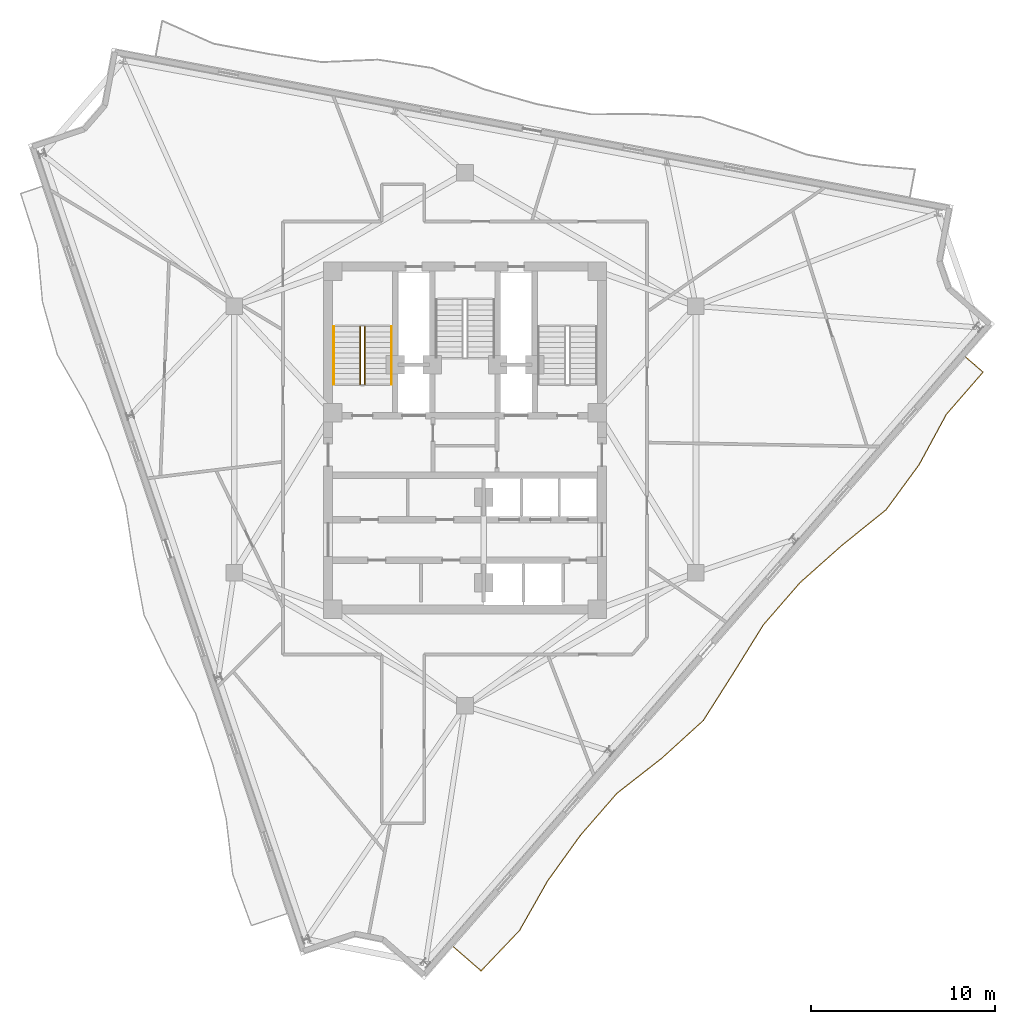
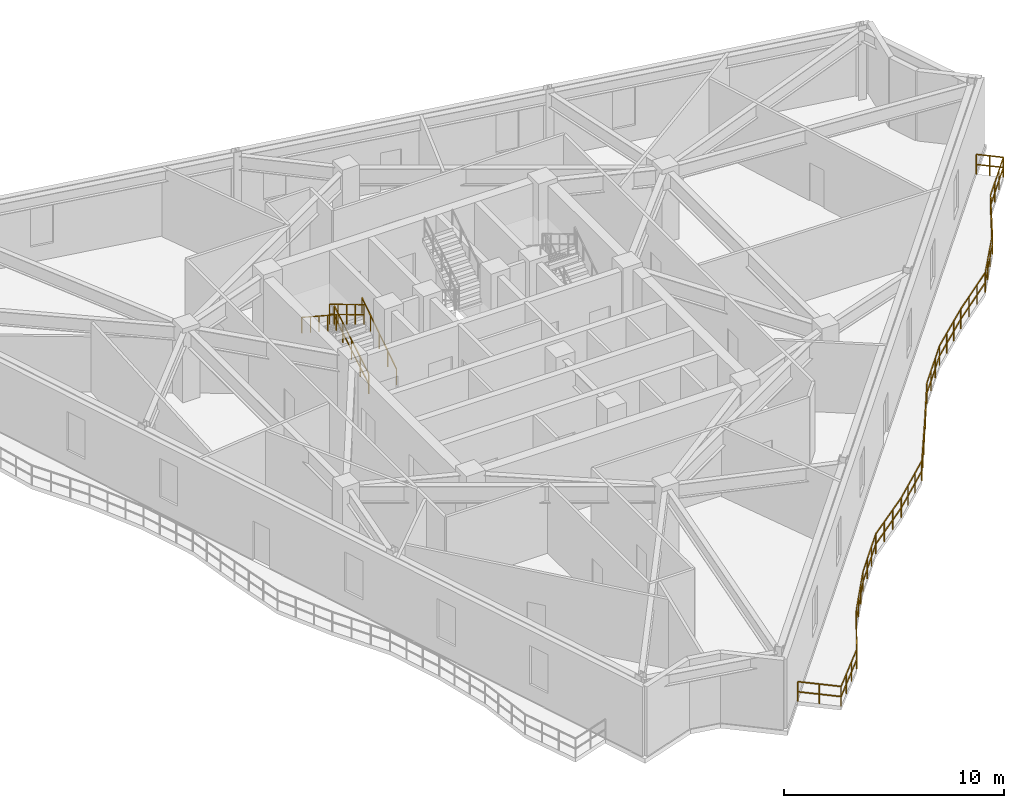
# One storey, part 9 of 10: 5 railings.
"""IFC4 building model written with IfcOpenShell, lengths in metres."""

from ifc_helpers import new_model, si_unit, direction, frame, origin, origin_2d, place, context, subcontext, project, spatial, rectangle, extrude, material, type_object, element, save


model = new_model("IFC4")

# Units and contexts
model_context = context("Model", 3, precision=1e-05, world=origin(), true_north=direction((0.0, 1.0)))
body_context = subcontext(model_context, "Body", "Model", "MODEL_VIEW")
ifc_project = project(units=[si_unit("LENGTHUNIT", "METRE"), si_unit("AREAUNIT", "SQUARE_METRE"), si_unit("VOLUMEUNIT", "CUBIC_METRE"), si_unit("PLANEANGLEUNIT", "RADIAN"), si_unit("MASSUNIT", "GRAM", prefix="KILO")], contexts=[model_context])

# Site, building, storey
site_placement = place(None, origin())
site = spatial("IfcSite", under=ifc_project, at=site_placement, CompositionType="ELEMENT")
building_placement = place(site_placement, origin())
building = spatial("IfcBuilding", under=site, at=building_placement, Name="Apsidion Concourse Tower", CompositionType="ELEMENT")
storey_placement = place(building_placement, frame((0.0, 0.0, 265.5)))
storey = spatial("IfcBuildingStorey", under=building, at=storey_placement, Name="L62", CompositionType="ELEMENT", Elevation=265.5)

# Railings
ifc_material = material(Name="Brushed stainless steel 316", Category="steel")
railing_type_1 = type_object("IfcRailingType", Name="RL-BAL-1120", PredefinedType="BALUSTRADE", material=ifc_material)
railing_1_placement = place(storey_placement, frame((27.2392578125, 4.47607421875, 0.0)))
element("IfcRailing", 1, at=railing_1_placement, inside=storey, type_object=railing_type_1, Name="L62 Face 2 Rippling Balcony Balustrade", PredefinedType="BALUSTRADE", context=body_context, shape_type="SweptSolid", body=[
    extrude(rectangle(XDim=0.048095703125, YDim=0.048095703125, at=origin_2d()), frame((0.0, 0.0, 1.09619140625), z_axis=(0.754702226027, -0.65606748893, 0.0), x_axis=(0.65606748893, 0.754702226027, 0.0)), (0.0, 0.0, 1.0), 1.25),
    extrude(rectangle(XDim=0.048095703125, YDim=0.048095703125, at=origin_2d()), frame((0.0, 0.0, 0.5361328125), z_axis=(0.754702226027, -0.65606748893, 0.0), x_axis=(0.65606748893, 0.754702226027, 0.0)), (0.0, 0.0, 1.0), 1.25),
    extrude(rectangle(XDim=0.048095703125, YDim=0.048095703125, at=origin_2d()), frame((0.943359375, -0.820068359375, 1.09619140625), z_axis=(-0.656041311893, -0.754724981096, 0.0), x_axis=(0.754724981096, -0.656041311893, 0.0)), (0.0, 0.0, 1.0), 3.03564453125),
    extrude(rectangle(XDim=0.048095703125, YDim=0.048095703125, at=origin_2d()), frame((0.943359375, -0.820068359375, 0.5361328125), z_axis=(-0.656041311893, -0.754724981096, 0.0), x_axis=(0.754724981096, -0.656041311893, 0.0)), (0.0, 0.0, 1.0), 3.03564453125),
    extrude(rectangle(XDim=0.048095703125, YDim=0.048095703125, at=origin_2d()), frame((-1.048095703125, -3.111083984375, 1.09619140625), z_axis=(-0.476176933893, -0.879349491174, 0.0), x_axis=(0.879349491174, -0.476176933893, 0.0)), (0.0, 0.0, 1.0), 3.110107421875),
    extrude(rectangle(XDim=0.048095703125, YDim=0.048095703125, at=origin_2d()), frame((-1.048095703125, -3.111083984375, 0.5361328125), z_axis=(-0.476176933893, -0.879349491174, 0.0), x_axis=(0.879349491174, -0.476176933893, 0.0)), (0.0, 0.0, 1.0), 3.110107421875),
    extrude(rectangle(XDim=0.048095703125, YDim=0.048095703125, at=origin_2d()), frame((-2.529052734375, -5.845947265625, 1.09619140625), z_axis=(-0.590623303688, -0.806947404197, 0.0), x_axis=(0.806947404197, -0.590623303688, 0.0)), (0.0, 0.0, 1.0), 3.046142578125),
    extrude(rectangle(XDim=0.048095703125, YDim=0.048095703125, at=origin_2d()), frame((-2.529052734375, -5.845947265625, 0.5361328125), z_axis=(-0.590623303688, -0.806947404197, 0.0), x_axis=(0.806947404197, -0.590623303688, 0.0)), (0.0, 0.0, 1.0), 3.046142578125),
    extrude(rectangle(XDim=0.048095703125, YDim=0.048095703125, at=origin_2d()), frame((-4.328125, -8.303955078125, 1.09619140625), z_axis=(-0.778313184317, -0.627876251437, 0.0), x_axis=(0.627876251437, -0.778313184317, 0.0)), (0.0, 0.0, 1.0), 3.08349609375),
    extrude(rectangle(XDim=0.048095703125, YDim=0.048095703125, at=origin_2d()), frame((-4.328125, -8.303955078125, 0.5361328125), z_axis=(-0.778313184317, -0.627876251437, 0.0), x_axis=(0.627876251437, -0.778313184317, 0.0)), (0.0, 0.0, 1.0), 3.08349609375),
    extrude(rectangle(XDim=0.048095703125, YDim=0.048095703125, at=origin_2d()), frame((-6.72802734375, -10.239990234375, 1.09619140625), z_axis=(-0.746955837385, -0.664873654913, 0.0), x_axis=(0.664873654913, -0.746955837385, 0.0)), (0.0, 0.0, 1.0), 3.060546875),
    extrude(rectangle(XDim=0.048095703125, YDim=0.048095703125, at=origin_2d()), frame((-6.72802734375, -10.239990234375, 0.5361328125), z_axis=(-0.746955837385, -0.664873654913, 0.0), x_axis=(0.664873654913, -0.746955837385, 0.0)), (0.0, 0.0, 1.0), 3.060546875),
    extrude(rectangle(XDim=0.048095703125, YDim=0.048095703125, at=origin_2d()), frame((-9.01416015625, -12.27490234375, 1.09619140625), z_axis=(-0.656035321083, -0.754730188539, 0.0), x_axis=(0.754730188539, -0.656035321083, 0.0)), (0.0, 0.0, 1.0), 3.03515625),
    extrude(rectangle(XDim=0.048095703125, YDim=0.048095703125, at=origin_2d()), frame((-9.01416015625, -12.27490234375, 0.5361328125), z_axis=(-0.656035321083, -0.754730188539, 0.0), x_axis=(0.754730188539, -0.656035321083, 0.0)), (0.0, 0.0, 1.0), 3.03515625),
    extrude(rectangle(XDim=0.048095703125, YDim=0.048095703125, at=origin_2d()), frame((-11.00537109375, -14.565673828125, 1.09619140625), z_axis=(-0.527698826348, -0.849431544429, 0.0), x_axis=(0.849431544429, -0.527698826348, 0.0)), (0.0, 0.0, 1.0), 3.07470703125),
    extrude(rectangle(XDim=0.048095703125, YDim=0.048095703125, at=origin_2d()), frame((-11.00537109375, -14.565673828125, 0.5361328125), z_axis=(-0.527698826348, -0.849431544429, 0.0), x_axis=(0.849431544429, -0.527698826348, 0.0)), (0.0, 0.0, 1.0), 3.07470703125),
    extrude(rectangle(XDim=0.048095703125, YDim=0.048095703125, at=origin_2d()), frame((-12.6279296875, -17.177490234375, 1.09619140625), z_axis=(-0.53593346273, -0.844260222636, 0.0), x_axis=(0.844260222636, -0.53593346273, 0.0)), (0.0, 0.0, 1.0), 3.06982421875),
    extrude(rectangle(XDim=0.048095703125, YDim=0.048095703125, at=origin_2d()), frame((-12.6279296875, -17.177490234375, 0.5361328125), z_axis=(-0.53593346273, -0.844260222636, 0.0), x_axis=(0.844260222636, -0.53593346273, 0.0)), (0.0, 0.0, 1.0), 3.06982421875),
    extrude(rectangle(XDim=0.048095703125, YDim=0.048095703125, at=origin_2d()), frame((-14.273193359375, -19.769287109375, 1.09619140625), z_axis=(-0.739856942748, -0.672764226359, 0.0), x_axis=(0.672764226359, -0.739856942748, 0.0)), (0.0, 0.0, 1.0), 3.056640625),
    extrude(rectangle(XDim=0.048095703125, YDim=0.048095703125, at=origin_2d()), frame((-14.273193359375, -19.769287109375, 0.5361328125), z_axis=(-0.739856942748, -0.672764226359, 0.0), x_axis=(0.672764226359, -0.739856942748, 0.0)), (0.0, 0.0, 1.0), 3.056640625),
    extrude(rectangle(XDim=0.048095703125, YDim=0.048095703125, at=origin_2d()), frame((-16.53466796875, -21.82568359375, 1.09619140625), z_axis=(-0.788011207043, -0.615660894953, 0.0), x_axis=(0.615660894953, -0.788011207043, 0.0)), (0.0, 0.0, 1.0), 3.09228515625),
    extrude(rectangle(XDim=0.048095703125, YDim=0.048095703125, at=origin_2d()), frame((-16.53466796875, -21.82568359375, 0.5361328125), z_axis=(-0.788011207043, -0.615660894953, 0.0), x_axis=(0.615660894953, -0.788011207043, 0.0)), (0.0, 0.0, 1.0), 3.09228515625),
    extrude(rectangle(XDim=0.048095703125, YDim=0.048095703125, at=origin_2d()), frame((-18.971435546875, -23.7294921875, 1.09619140625), z_axis=(-0.656041311893, -0.754724981096, 0.0), x_axis=(0.754724981096, -0.656041311893, 0.0)), (0.0, 0.0, 1.0), 3.03564453125),
    extrude(rectangle(XDim=0.048095703125, YDim=0.048095703125, at=origin_2d()), frame((-18.971435546875, -23.7294921875, 0.5361328125), z_axis=(-0.656041311893, -0.754724981096, 0.0), x_axis=(0.754724981096, -0.656041311893, 0.0)), (0.0, 0.0, 1.0), 3.03564453125),
    extrude(rectangle(XDim=0.048095703125, YDim=0.048095703125, at=origin_2d()), frame((-20.962890625, -26.0205078125, 1.09619140625), z_axis=(-0.583485875809, -0.812123286657, 0.0), x_axis=(0.812123286657, -0.583485875809, 0.0)), (0.0, 0.0, 1.0), 3.048583984375),
    extrude(rectangle(XDim=0.048095703125, YDim=0.048095703125, at=origin_2d()), frame((-20.962890625, -26.0205078125, 0.5361328125), z_axis=(-0.583485875809, -0.812123286657, 0.0), x_axis=(0.812123286657, -0.583485875809, 0.0)), (0.0, 0.0, 1.0), 3.048583984375),
    extrude(rectangle(XDim=0.048095703125, YDim=0.048095703125, at=origin_2d()), frame((-22.74169921875, -28.496337890625, 1.09619140625), z_axis=(-0.493088152446, -0.869979352581, 0.0), x_axis=(0.869979352581, -0.493088152446, 0.0)), (0.0, 0.0, 1.0), 3.096923828125),
    extrude(rectangle(XDim=0.048095703125, YDim=0.048095703125, at=origin_2d()), frame((-22.74169921875, -28.496337890625, 0.5361328125), z_axis=(-0.493088152446, -0.869979352581, 0.0), x_axis=(0.869979352581, -0.493088152446, 0.0)), (0.0, 0.0, 1.0), 3.096923828125),
    extrude(rectangle(XDim=0.048095703125, YDim=0.048095703125, at=origin_2d()), frame((-24.268798828125, -31.190673828125, 1.09619140625), z_axis=(-0.689498674874, -0.724286944068, 0.0), x_axis=(0.724286944068, -0.689498674874, 0.0)), (0.0, 0.0, 1.0), 3.038818359375),
    extrude(rectangle(XDim=0.048095703125, YDim=0.048095703125, at=origin_2d()), frame((-24.268798828125, -31.190673828125, 0.5361328125), z_axis=(-0.689498674874, -0.724286944068, 0.0), x_axis=(0.724286944068, -0.689498674874, 0.0)), (0.0, 0.0, 1.0), 3.038818359375),
    extrude(rectangle(XDim=0.048095703125, YDim=0.048095703125, at=origin_2d()), frame((-26.364013671875, -33.3916015625, 1.09619140625), z_axis=(-0.754762419194, 0.655998239763, 0.0), x_axis=(-0.655998239763, -0.754762419194, 0.0)), (0.0, 0.0, 1.0), 2.009765625),
    extrude(rectangle(XDim=0.048095703125, YDim=0.048095703125, at=origin_2d()), frame((-26.364013671875, -33.3916015625, 0.5361328125), z_axis=(-0.754762419194, 0.655998239763, 0.0), x_axis=(-0.655998239763, -0.754762419194, 0.0)), (0.0, 0.0, 1.0), 2.009765625),
    extrude(rectangle(XDim=0.0419921875, YDim=0.0419921875, at=origin_2d()), origin(), (0.0, 0.0, 1.0), 1.072021484375),
    extrude(rectangle(XDim=0.0419921875, YDim=0.0419921875, at=origin_2d()), frame((0.4716796875, -0.41015625, 0.0)), (0.0, 0.0, 1.0), 1.072021484375),
    extrude(rectangle(XDim=0.0419921875, YDim=0.0419921875, at=origin_2d()), frame((0.943359375, -0.820068359375, 0.0)), (0.0, 0.0, 1.0), 1.072021484375),
    extrude(rectangle(XDim=0.0419921875, YDim=0.0419921875, at=origin_2d()), frame((0.279541015625, -1.583740234375, 0.0)), (0.0, 0.0, 1.0), 1.072021484375),
    extrude(rectangle(XDim=0.0419921875, YDim=0.0419921875, at=origin_2d()), frame((-0.38427734375, -2.347412109375, 0.0)), (0.0, 0.0, 1.0), 1.072021484375),
    extrude(rectangle(XDim=0.0419921875, YDim=0.0419921875, at=origin_2d()), frame((-1.048095703125, -3.111083984375, 0.0)), (0.0, 0.0, 1.0), 1.072021484375),
    extrude(rectangle(XDim=0.0419921875, YDim=0.0419921875, at=origin_2d()), frame((-1.541748046875, -4.022705078125, 0.0)), (0.0, 0.0, 1.0), 1.072021484375),
    extrude(rectangle(XDim=0.0419921875, YDim=0.0419921875, at=origin_2d()), frame((-2.035400390625, -4.934326171875, 0.0)), (0.0, 0.0, 1.0), 1.072021484375),
    extrude(rectangle(XDim=0.0419921875, YDim=0.0419921875, at=origin_2d()), frame((-2.529052734375, -5.845947265625, 0.0)), (0.0, 0.0, 1.0), 1.072021484375),
    extrude(rectangle(XDim=0.0419921875, YDim=0.0419921875, at=origin_2d()), frame((-3.128662109375, -6.665283203125, 0.0)), (0.0, 0.0, 1.0), 1.072021484375),
    extrude(rectangle(XDim=0.0419921875, YDim=0.0419921875, at=origin_2d()), frame((-3.728515625, -7.484619140625, 0.0)), (0.0, 0.0, 1.0), 1.072021484375),
    extrude(rectangle(XDim=0.0419921875, YDim=0.0419921875, at=origin_2d()), frame((-4.328125, -8.303955078125, 0.0)), (0.0, 0.0, 1.0), 1.072021484375),
    extrude(rectangle(XDim=0.0419921875, YDim=0.0419921875, at=origin_2d()), frame((-5.128173828125, -8.94921875, 0.0)), (0.0, 0.0, 1.0), 1.072021484375),
    extrude(rectangle(XDim=0.0419921875, YDim=0.0419921875, at=origin_2d()), frame((-5.927978515625, -9.5947265625, 0.0)), (0.0, 0.0, 1.0), 1.072021484375),
    extrude(rectangle(XDim=0.0419921875, YDim=0.0419921875, at=origin_2d()), frame((-6.72802734375, -10.239990234375, 0.0)), (0.0, 0.0, 1.0), 1.072021484375),
    extrude(rectangle(XDim=0.0419921875, YDim=0.0419921875, at=origin_2d()), frame((-7.489990234375, -10.918212890625, 0.0)), (0.0, 0.0, 1.0), 1.072021484375),
    extrude(rectangle(XDim=0.0419921875, YDim=0.0419921875, at=origin_2d()), frame((-8.252197265625, -11.5966796875, 0.0)), (0.0, 0.0, 1.0), 1.072021484375),
    extrude(rectangle(XDim=0.0419921875, YDim=0.0419921875, at=origin_2d()), frame((-9.01416015625, -12.27490234375, 0.0)), (0.0, 0.0, 1.0), 1.072021484375),
    extrude(rectangle(XDim=0.0419921875, YDim=0.0419921875, at=origin_2d()), frame((-9.677978515625, -13.03857421875, 0.0)), (0.0, 0.0, 1.0), 1.072021484375),
    extrude(rectangle(XDim=0.0419921875, YDim=0.0419921875, at=origin_2d()), frame((-10.341552734375, -13.802001953125, 0.0)), (0.0, 0.0, 1.0), 1.072021484375),
    extrude(rectangle(XDim=0.0419921875, YDim=0.0419921875, at=origin_2d()), frame((-11.00537109375, -14.565673828125, 0.0)), (0.0, 0.0, 1.0), 1.072021484375),
    extrude(rectangle(XDim=0.0419921875, YDim=0.0419921875, at=origin_2d()), frame((-11.546142578125, -15.436279296875, 0.0)), (0.0, 0.0, 1.0), 1.072021484375),
    extrude(rectangle(XDim=0.0419921875, YDim=0.0419921875, at=origin_2d()), frame((-12.087158203125, -16.306884765625, 0.0)), (0.0, 0.0, 1.0), 1.072021484375),
    extrude(rectangle(XDim=0.0419921875, YDim=0.0419921875, at=origin_2d()), frame((-12.6279296875, -17.177490234375, 0.0)), (0.0, 0.0, 1.0), 1.072021484375),
    extrude(rectangle(XDim=0.0419921875, YDim=0.0419921875, at=origin_2d()), frame((-13.17626953125, -18.04150390625, 0.0)), (0.0, 0.0, 1.0), 1.072021484375),
    extrude(rectangle(XDim=0.0419921875, YDim=0.0419921875, at=origin_2d()), frame((-13.724853515625, -18.9052734375, 0.0)), (0.0, 0.0, 1.0), 1.072021484375),
    extrude(rectangle(XDim=0.0419921875, YDim=0.0419921875, at=origin_2d()), frame((-14.273193359375, -19.769287109375, 0.0)), (0.0, 0.0, 1.0), 1.072021484375),
    extrude(rectangle(XDim=0.0419921875, YDim=0.0419921875, at=origin_2d()), frame((-15.027099609375, -20.454833984375, 0.0)), (0.0, 0.0, 1.0), 1.072021484375),
    extrude(rectangle(XDim=0.0419921875, YDim=0.0419921875, at=origin_2d()), frame((-15.78076171875, -21.14013671875, 0.0)), (0.0, 0.0, 1.0), 1.072021484375),
    extrude(rectangle(XDim=0.0419921875, YDim=0.0419921875, at=origin_2d()), frame((-16.53466796875, -21.82568359375, 0.0)), (0.0, 0.0, 1.0), 1.072021484375),
    extrude(rectangle(XDim=0.0419921875, YDim=0.0419921875, at=origin_2d()), frame((-17.346923828125, -22.460205078125, 0.0)), (0.0, 0.0, 1.0), 1.072021484375),
    extrude(rectangle(XDim=0.0419921875, YDim=0.0419921875, at=origin_2d()), frame((-18.1591796875, -23.094970703125, 0.0)), (0.0, 0.0, 1.0), 1.072021484375),
    extrude(rectangle(XDim=0.0419921875, YDim=0.0419921875, at=origin_2d()), frame((-18.971435546875, -23.7294921875, 0.0)), (0.0, 0.0, 1.0), 1.072021484375),
    extrude(rectangle(XDim=0.0419921875, YDim=0.0419921875, at=origin_2d()), frame((-19.63525390625, -24.4931640625, 0.0)), (0.0, 0.0, 1.0), 1.072021484375),
    extrude(rectangle(XDim=0.0419921875, YDim=0.0419921875, at=origin_2d()), frame((-20.299072265625, -25.2568359375, 0.0)), (0.0, 0.0, 1.0), 1.072021484375),
    extrude(rectangle(XDim=0.0419921875, YDim=0.0419921875, at=origin_2d()), frame((-20.962890625, -26.0205078125, 0.0)), (0.0, 0.0, 1.0), 1.072021484375),
    extrude(rectangle(XDim=0.0419921875, YDim=0.0419921875, at=origin_2d()), frame((-21.555908203125, -26.845703125, 0.0)), (0.0, 0.0, 1.0), 1.072021484375),
    extrude(rectangle(XDim=0.0419921875, YDim=0.0419921875, at=origin_2d()), frame((-22.148681640625, -27.671142578125, 0.0)), (0.0, 0.0, 1.0), 1.072021484375),
    extrude(rectangle(XDim=0.0419921875, YDim=0.0419921875, at=origin_2d()), frame((-22.74169921875, -28.496337890625, 0.0)), (0.0, 0.0, 1.0), 1.072021484375),
    extrude(rectangle(XDim=0.0419921875, YDim=0.0419921875, at=origin_2d()), frame((-23.250732421875, -29.39453125, 0.0)), (0.0, 0.0, 1.0), 1.072021484375),
    extrude(rectangle(XDim=0.0419921875, YDim=0.0419921875, at=origin_2d()), frame((-23.759765625, -30.29248046875, 0.0)), (0.0, 0.0, 1.0), 1.072021484375),
    extrude(rectangle(XDim=0.0419921875, YDim=0.0419921875, at=origin_2d()), frame((-24.268798828125, -31.190673828125, 0.0)), (0.0, 0.0, 1.0), 1.072021484375),
    extrude(rectangle(XDim=0.0419921875, YDim=0.0419921875, at=origin_2d()), frame((-24.96728515625, -31.92431640625, 0.0)), (0.0, 0.0, 1.0), 1.072021484375),
    extrude(rectangle(XDim=0.0419921875, YDim=0.0419921875, at=origin_2d()), frame((-25.66552734375, -32.657958984375, 0.0)), (0.0, 0.0, 1.0), 1.072021484375),
    extrude(rectangle(XDim=0.0419921875, YDim=0.0419921875, at=origin_2d()), frame((-26.364013671875, -33.3916015625, 0.0)), (0.0, 0.0, 1.0), 1.072021484375),
    extrude(rectangle(XDim=0.0419921875, YDim=0.0419921875, at=origin_2d()), frame((-27.12255859375, -32.732421875, 0.0)), (0.0, 0.0, 1.0), 1.072021484375),
    extrude(rectangle(XDim=0.0419921875, YDim=0.0419921875, at=origin_2d()), frame((-27.880859375, -32.0732421875, 0.0)), (0.0, 0.0, 1.0), 1.072021484375),
])
railing_type_2 = type_object("IfcRailingType", Name="RL-GUARD-1100", PredefinedType="GUARDRAIL", material=ifc_material)
railing_2_placement = place(storey_placement, frame((-5.449951171875, 3.0, 0.1708984375)))
element("IfcRailing", 2, at=railing_2_placement, inside=storey, type_object=railing_type_2, Name="L62 ST1 stair guard 1", PredefinedType="GUARDRAIL", context=body_context, shape_type="SweptSolid", body=[
    extrude(rectangle(XDim=0.048095703125, YDim=0.048095703125, at=origin_2d()), frame((0.0, 0.0, 1.09619140625), z_axis=(0.0, 0.857716804754, 0.514122439544), x_axis=(-1.0, 0.0, 0.0)), (0.0, 0.0, 1.0), 3.655029296875),
    extrude(rectangle(XDim=0.048095703125, YDim=0.048095703125, at=origin_2d()), frame((0.0, 0.0, 0.5361328125), z_axis=(0.0, 0.857716804754, 0.514122439544), x_axis=(-1.0, 0.0, 0.0)), (0.0, 0.0, 1.0), 3.655029296875),
    extrude(rectangle(XDim=0.0419921875, YDim=0.0419921875, at=origin_2d()), origin(), (0.0, 0.0, 1.0), 1.072021484375),
    extrude(rectangle(XDim=0.0419921875, YDim=0.0419921875, at=origin_2d()), frame((0.0, 0.78369140625, 0.4697265625)), (0.0, 0.0, 1.0), 1.072021484375),
    extrude(rectangle(XDim=0.0419921875, YDim=0.0419921875, at=origin_2d()), frame((0.0, 1.5673828125, 0.939453125)), (0.0, 0.0, 1.0), 1.072021484375),
    extrude(rectangle(XDim=0.0419921875, YDim=0.0419921875, at=origin_2d()), frame((0.0, 2.351318359375, 1.409423828125)), (0.0, 0.0, 1.0), 1.072021484375),
    extrude(rectangle(XDim=0.0419921875, YDim=0.0419921875, at=origin_2d()), frame((0.0, 3.135009765625, 1.879150390625)), (0.0, 0.0, 1.0), 1.072021484375),
])
railing_3_placement = place(storey_placement, frame((-5.699951171875, 6.135009765625, 2.220947265625)))
element("IfcRailing", 3, at=railing_3_placement, inside=storey, type_object=railing_type_2, Name="L62 ST1 stair guard 3", PredefinedType="GUARDRAIL", context=body_context, shape_type="SweptSolid", body=[
    extrude(rectangle(XDim=0.048095703125, YDim=0.048095703125, at=origin_2d()), frame((0.0, 0.0, 1.09619140625), z_axis=(0.0, -0.857716804754, 0.514122439544), x_axis=(1.0, 0.0, 0.0)), (0.0, 0.0, 1.0), 3.655029296875),
    extrude(rectangle(XDim=0.048095703125, YDim=0.048095703125, at=origin_2d()), frame((0.0, 0.0, 0.5361328125), z_axis=(0.0, -0.857716804754, 0.514122439544), x_axis=(1.0, 0.0, 0.0)), (0.0, 0.0, 1.0), 3.655029296875),
    extrude(rectangle(XDim=0.0419921875, YDim=0.0419921875, at=origin_2d()), origin(), (0.0, 0.0, 1.0), 1.072021484375),
    extrude(rectangle(XDim=0.0419921875, YDim=0.0419921875, at=origin_2d()), frame((0.0, -0.78369140625, 0.4697265625)), (0.0, 0.0, 1.0), 1.072021484375),
    extrude(rectangle(XDim=0.0419921875, YDim=0.0419921875, at=origin_2d()), frame((0.0, -1.5673828125, 0.939453125)), (0.0, 0.0, 1.0), 1.072021484375),
    extrude(rectangle(XDim=0.0419921875, YDim=0.0419921875, at=origin_2d()), frame((0.0, -2.351318359375, 1.409423828125)), (0.0, 0.0, 1.0), 1.072021484375),
    extrude(rectangle(XDim=0.0419921875, YDim=0.0419921875, at=origin_2d()), frame((0.0, -3.135009765625, 1.879150390625)), (0.0, 0.0, 1.0), 1.072021484375),
])
railing_type_3 = type_object("IfcRailingType", Name="RL-HAND-900", PredefinedType="HANDRAIL", material=ifc_material)
railing_4_placement = place(storey_placement, frame((-4.0, 3.0, 0.1708984375)))
element("IfcRailing", 4, at=railing_4_placement, inside=storey, type_object=railing_type_3, Name="L62 ST1 stair handrail 1", PredefinedType="HANDRAIL", context=body_context, shape_type="SweptSolid", body=[
    extrude(rectangle(XDim=0.048095703125, YDim=0.048095703125, at=origin_2d()), frame((0.0, 0.0, 0.8759765625), z_axis=(0.0, 0.836940907821, 0.547293263996), x_axis=(-1.0, 0.0, 0.0)), (0.0, 0.0, 1.0), 3.745849609375),
    extrude(rectangle(XDim=0.0419921875, YDim=0.0419921875, at=origin_2d()), origin(), (0.0, 0.0, 1.0), 0.851806640625),
    extrude(rectangle(XDim=0.0419921875, YDim=0.0419921875, at=origin_2d()), frame((0.0, 0.78369140625, 0.512451171875)), (0.0, 0.0, 1.0), 0.851806640625),
    extrude(rectangle(XDim=0.0419921875, YDim=0.0419921875, at=origin_2d()), frame((0.0, 1.5673828125, 1.02490234375)), (0.0, 0.0, 1.0), 0.851806640625),
    extrude(rectangle(XDim=0.0419921875, YDim=0.0419921875, at=origin_2d()), frame((0.0, 2.351318359375, 1.53759765625)), (0.0, 0.0, 1.0), 0.851806640625),
    extrude(rectangle(XDim=0.0419921875, YDim=0.0419921875, at=origin_2d()), frame((0.0, 3.135009765625, 2.050048828125)), (0.0, 0.0, 1.0), 0.851806640625),
])
railing_5_placement = place(storey_placement, frame((-7.14990234375, 6.135009765625, 2.220947265625)))
element("IfcRailing", 5, at=railing_5_placement, inside=storey, type_object=railing_type_3, Name="L62 ST1 stair handrail 2", PredefinedType="HANDRAIL", context=body_context, shape_type="SweptSolid", body=[
    extrude(rectangle(XDim=0.048095703125, YDim=0.048095703125, at=origin_2d()), frame((0.0, 0.0, 0.8759765625), z_axis=(0.0, -0.836970762213, 0.547247606848), x_axis=(1.0, 0.0, 0.0)), (0.0, 0.0, 1.0), 3.74560546875),
    extrude(rectangle(XDim=0.0419921875, YDim=0.0419921875, at=origin_2d()), origin(), (0.0, 0.0, 1.0), 0.851806640625),
    extrude(rectangle(XDim=0.0419921875, YDim=0.0419921875, at=origin_2d()), frame((0.0, -0.78369140625, 0.512451171875)), (0.0, 0.0, 1.0), 0.851806640625),
    extrude(rectangle(XDim=0.0419921875, YDim=0.0419921875, at=origin_2d()), frame((0.0, -1.5673828125, 1.02490234375)), (0.0, 0.0, 1.0), 0.851806640625),
    extrude(rectangle(XDim=0.0419921875, YDim=0.0419921875, at=origin_2d()), frame((0.0, -2.351318359375, 1.537353515625)), (0.0, 0.0, 1.0), 0.851806640625),
    extrude(rectangle(XDim=0.0419921875, YDim=0.0419921875, at=origin_2d()), frame((0.0, -3.135009765625, 2.0498046875)), (0.0, 0.0, 1.0), 0.851806640625),
])

save(model, "model.ifc")
